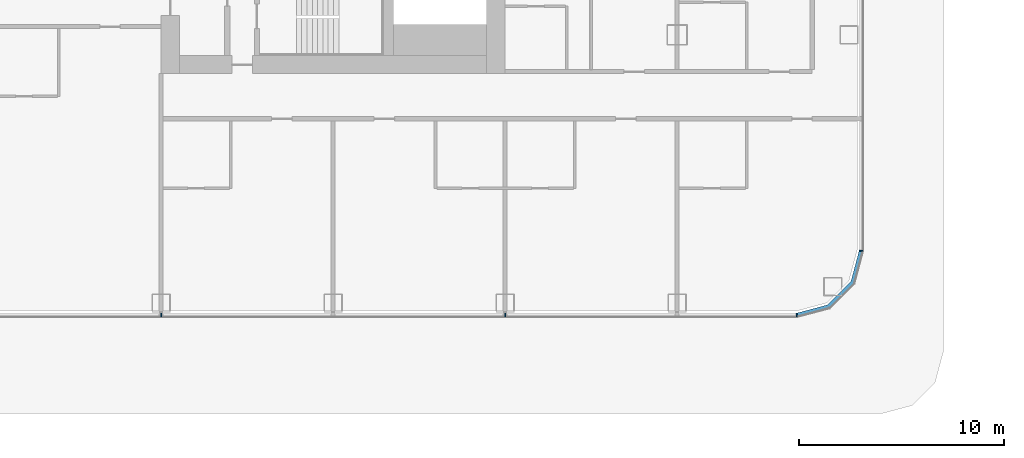
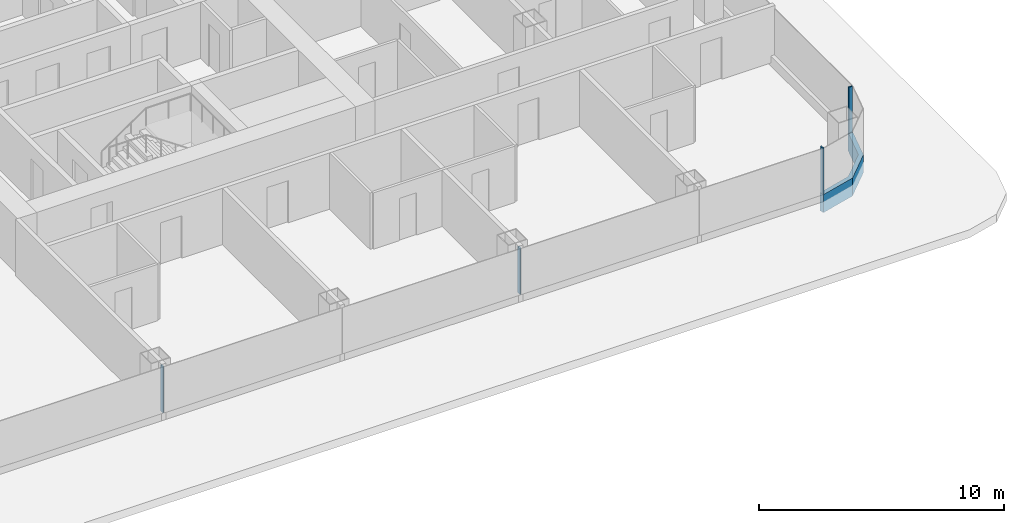
# One storey, part 10 of 42: 5 members, 3 elements without a shape of their own.
"""IFC4 building model written with IfcOpenShell, lengths in metres."""

from ifc_helpers import new_model, si_unit, direction, frame, origin, origin_2d, place, context, subcontext, project, spatial, polyline, rectangle, outline, extrude, material, layer, layer_set, material_profile, profile_set, type_object, element, aggregate, save


model = new_model("IFC4")

# Units and contexts
model_context = context("Model", 3, precision=1e-05, world=origin(), true_north=direction((0.0, 1.0)))
body_context = subcontext(model_context, "Body", "Model", "MODEL_VIEW")
ifc_project = project(units=[si_unit("LENGTHUNIT", "METRE"), si_unit("AREAUNIT", "SQUARE_METRE"), si_unit("VOLUMEUNIT", "CUBIC_METRE"), si_unit("PLANEANGLEUNIT", "RADIAN"), si_unit("MASSUNIT", "GRAM", prefix="KILO")], contexts=[model_context])

# Site, building, storey
site_placement = place(None, origin())
site = spatial("IfcSite", under=ifc_project, at=site_placement, CompositionType="ELEMENT")
building_placement = place(site_placement, origin())
building = spatial("IfcBuilding", under=site, at=building_placement, Name="Hakoniwa Tower and Hamabe Station Hall", CompositionType="ELEMENT")
storey_placement = place(building_placement, frame((0.0, 0.0, 19.800048828125)))
storey = spatial("IfcBuildingStorey", under=building, at=storey_placement, Name="L04", CompositionType="ELEMENT", Elevation=19.800048828125)

# Curtain wall, member
ifc_material_1 = material(Name="Dark low-e laminated glass", Category="glass")
ifc_layer = layer(ifc_material_1, 0.199951171875)
ifc_layer_set = layer_set([ifc_layer], Name="CW-1 UNITISED GUEST")
curtain_wall_type = type_object("IfcCurtainWallType", Name="CW-1 UNITISED GUEST", PredefinedType="NOTDEFINED", material=ifc_layer_set)
curtain_wall_1_placement = place(storey_placement, origin())
curtain_wall_1 = element("IfcCurtainWall", 1, at=curtain_wall_1_placement, inside=storey, type_object=curtain_wall_type, Name="CW-1 curtain wall", PredefinedType="NOTDEFINED")
ifc_material_2 = material(Name="Aluminium 6063-T5 black anodised", Category="aluminium")
ifc_material_profile_1 = material_profile(ifc_material_2, rectangle(XDim=0.199951171875, YDim=0.89990234375, at=origin_2d()), Name="CW SLAB-EDGE BAND 900X200")
ifc_profile_set_1 = profile_set([ifc_material_profile_1], Name="Aluminium 6063-T5 black anodised")
member_type_1 = type_object("IfcMemberType", Name="CW SLAB-EDGE BAND 900X200", PredefinedType="USERDEFINED", material=ifc_profile_set_1)
member_1_placement = place(storey_placement, frame((0.0, 0.0, -0.550048828125)))
member_1 = element("IfcMember", 2, at=member_1_placement, type_object=member_type_1, Name="CW-1 transom", ObjectType="TRANSOM", PredefinedType="USERDEFINED", context=body_context, shape_type="SweptSolid", body=[
    extrude(outline(polyline([(47.839599609375, -20.300048828125), (49.455322265625, -19.866943359375), (50.6669921875, -18.6552734375), (51.10009765625, -17.03955078125), (50.90673828125, -16.98779296875), (50.48779296875, -18.5517578125), (49.351806640625, -19.687744140625), (47.787841796875, -20.10693359375), (47.839599609375, -20.300048828125)])), origin(), (0.0, 0.0, 1.0), 0.89990234375),
])
aggregate(curtain_wall_1, [member_1])

curtain_wall_2_placement = place(storey_placement, origin())
curtain_wall_2 = element("IfcCurtainWall", 3, at=curtain_wall_2_placement, inside=storey, type_object=curtain_wall_type, Name="CW-1 curtain wall", PredefinedType="NOTDEFINED")
ifc_material_3 = material(Name="Aluminium 6063-T5 black anodised", Category="aluminium")
ifc_material_profile_2 = material_profile(ifc_material_3, rectangle(XDim=0.06005859375, YDim=0.179931640625, at=origin_2d()), Name="CW-1 MULLION 60X180")
ifc_profile_set_2 = profile_set([ifc_material_profile_2], Name="Aluminium 6063-T5 black anodised")
member_type_2 = type_object("IfcMemberType", Name="CW-1 MULLION 60X180", PredefinedType="MULLION", material=ifc_profile_set_2)
member_2_placement = place(storey_placement, frame((50.98193359375, -17.03955078125, 0.349853515625), z_axis=(0.0, 0.0, 1.0), x_axis=(0.0, 1.0, 0.0)))
member_2 = element("IfcMember", 4, at=member_2_placement, type_object=member_type_2, Name="CW-1 mullion", PredefinedType="MULLION", context=body_context, shape_type="SweptSolid", body=[
    extrude(rectangle(XDim=0.06005859375, YDim=0.179931640625, at=origin_2d()), origin(), (0.0, 0.0, 1.0), 2.300048828125),
])
aggregate(curtain_wall_2, [member_2])

# Curtain wall, members
curtain_wall_3_placement = place(storey_placement, origin())
curtain_wall_3 = element("IfcCurtainWall", 5, at=curtain_wall_3_placement, inside=storey, type_object=curtain_wall_type, Name="CW-1 curtain wall", PredefinedType="NOTDEFINED")
member_3_placement = place(storey_placement, frame((16.800048828125, -20.181884765625, 0.349853515625), z_axis=(0.0, 0.0, 1.0), x_axis=(1.0, 0.0, 0.0)))
member_3 = element("IfcMember", 6, at=member_3_placement, type_object=member_type_2, Name="CW-1 mullion", PredefinedType="MULLION", context=body_context, shape_type="SweptSolid", body=[
    extrude(rectangle(XDim=0.06005859375, YDim=0.179931640625, at=origin_2d()), origin(), (0.0, 0.0, 1.0), 2.300048828125),
])
member_4_placement = place(storey_placement, frame((33.60009765625, -20.181884765625, 0.349853515625), z_axis=(0.0, 0.0, 1.0), x_axis=(1.0, 0.0, 0.0)))
member_4 = element("IfcMember", 7, at=member_4_placement, type_object=member_type_2, Name="CW-1 mullion", PredefinedType="MULLION", context=body_context, shape_type="SweptSolid", body=[
    extrude(rectangle(XDim=0.06005859375, YDim=0.179931640625, at=origin_2d()), origin(), (0.0, 0.0, 1.0), 2.300048828125),
])
member_5_placement = place(storey_placement, frame((47.839599609375, -20.181884765625, 0.349853515625), z_axis=(0.0, 0.0, 1.0), x_axis=(1.0, 0.0, 0.0)))
member_5 = element("IfcMember", 8, at=member_5_placement, type_object=member_type_2, Name="CW-1 mullion", PredefinedType="MULLION", context=body_context, shape_type="SweptSolid", body=[
    extrude(rectangle(XDim=0.06005859375, YDim=0.179931640625, at=origin_2d()), origin(), (0.0, 0.0, 1.0), 2.300048828125),
])
aggregate(curtain_wall_3, [member_3, member_4, member_5])

save(model, "model.ifc")
